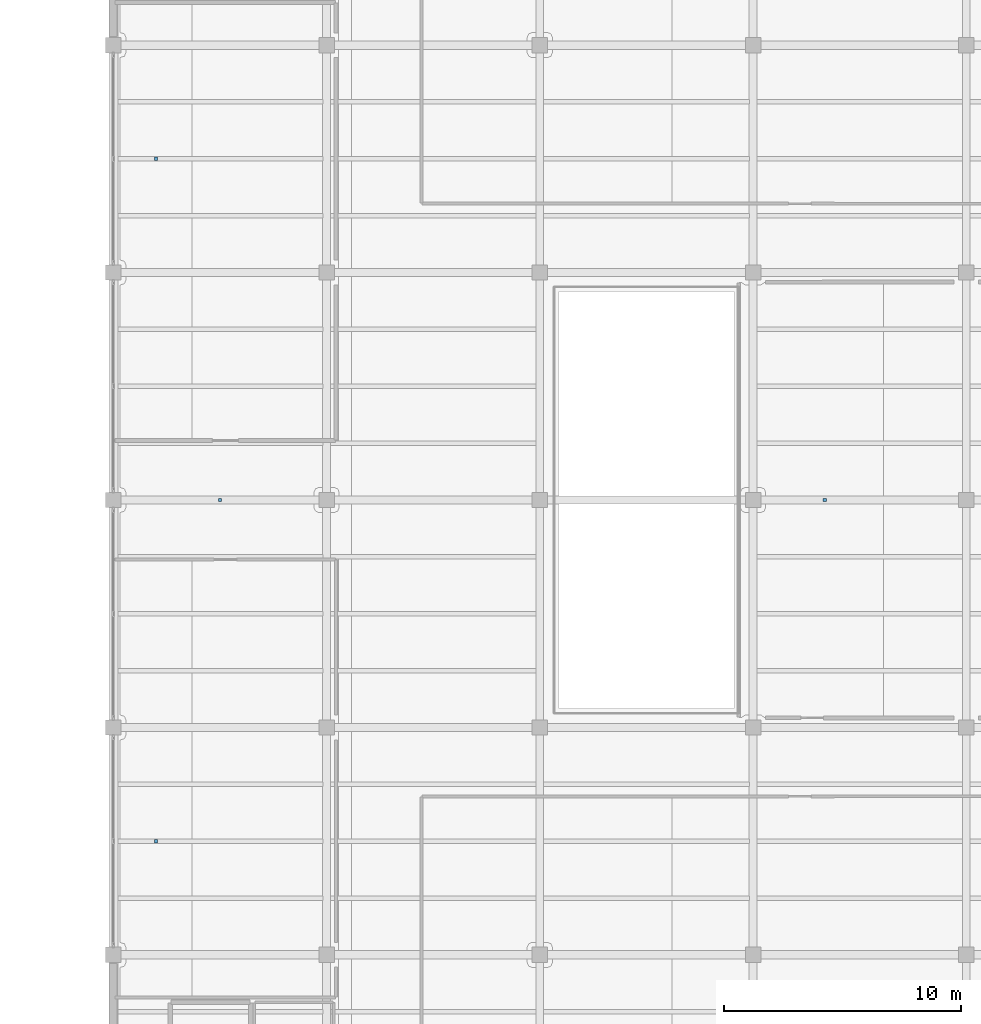
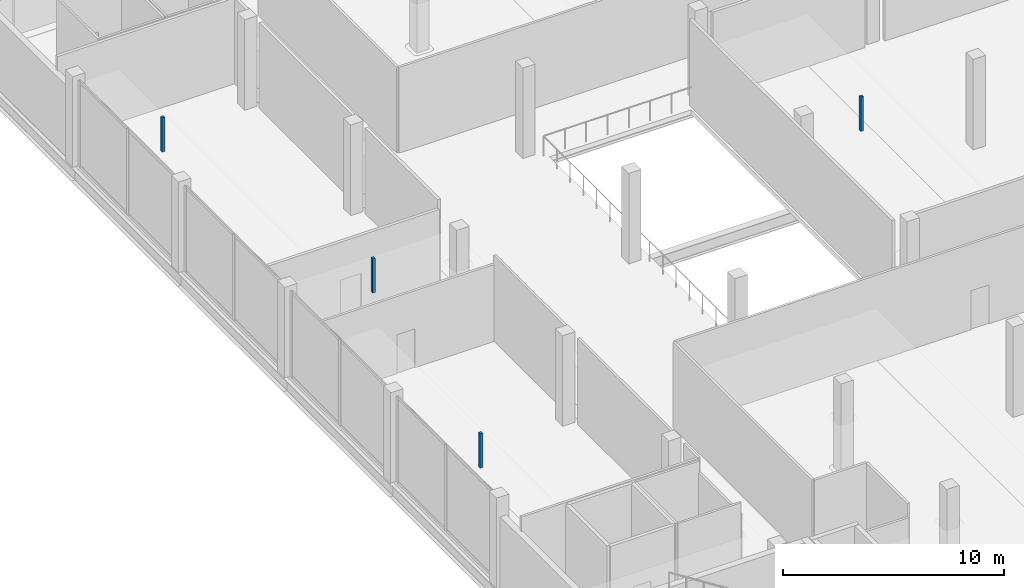
# One storey, part 37 of 46: 4 discrete accessories.
"""IFC4 building model written with IfcOpenShell, lengths in metres."""

from ifc_helpers import new_model, si_unit, direction, frame, origin, origin_2d, place, context, subcontext, project, spatial, rectangle, extrude, material, type_object, element, save


model = new_model("IFC4")

# Units and contexts
model_context = context("Model", 3, precision=1e-05, world=origin(), true_north=direction((0.0, 1.0)))
body_context = subcontext(model_context, "Body", "Model", "MODEL_VIEW")
ifc_project = project(units=[si_unit("LENGTHUNIT", "METRE"), si_unit("AREAUNIT", "SQUARE_METRE"), si_unit("VOLUMEUNIT", "CUBIC_METRE"), si_unit("PLANEANGLEUNIT", "RADIAN"), si_unit("MASSUNIT", "GRAM", prefix="KILO")], contexts=[model_context])

# Site, building, storey
site_placement = place(None, origin())
site = spatial("IfcSite", under=ifc_project, at=site_placement, CompositionType="ELEMENT")
building_placement = place(site_placement, origin())
building = spatial("IfcBuilding", under=site, at=building_placement, Name="Qorvath Tower", CompositionType="ELEMENT")
storey_placement = place(building_placement, frame((0.0, 0.0, 17.0)))
storey = spatial("IfcBuildingStorey", under=building, at=storey_placement, Name="L03", CompositionType="ELEMENT", Elevation=17.0)

# Discrete accessories
ifc_material = material(Name="Galvanised steel bracket", Category="steel")
discrete_accessory_type = type_object("IfcDiscreteAccessoryType", Name="DA-BRACKET", PredefinedType="BRACKET", material=ifc_material)
for number, where, z_axis, x_axis, name in (
    (1, (36.89990234375, 0.0, 2.85986328125), (0.0, 0.0, 1.0), (1.0, 0.0, 0.0), "Acoustic Ceiling Suspension Hanger LB-L03-005"),
    (2, (62.419189453125, 0.0, 2.85986328125), (0.0, 0.0, 1.0), (1.0, 0.0, 0.0), "Acoustic Ceiling Suspension Hanger LB-L03-008"),
    (3, (34.203369140625, 14.39990234375, 2.85986328125), (0.0, 0.0, 1.0), (1.0, 0.0, 0.0), "Acoustic Ceiling Suspension Hanger LB-L03-009"),
    (4, (34.203369140625, -14.39990234375, 2.85986328125), (0.0, 0.0, 1.0), (1.0, 0.0, 0.0), "Acoustic Ceiling Suspension Hanger LB-L03-010"),
):
    element("IfcDiscreteAccessory", number, at=place(storey_placement, frame(where, z_axis=z_axis, x_axis=x_axis)), inside=storey, type_object=discrete_accessory_type, Name=name, PredefinedType="NOTDEFINED", context=body_context, shape_type="SweptSolid", body=[
        extrude(rectangle(XDim=0.139892578125, YDim=0.139892578125, at=origin_2d()), origin(), (0.0, 0.0, 1.0), 1.909912109375),
    ])

save(model, "model.ifc")
